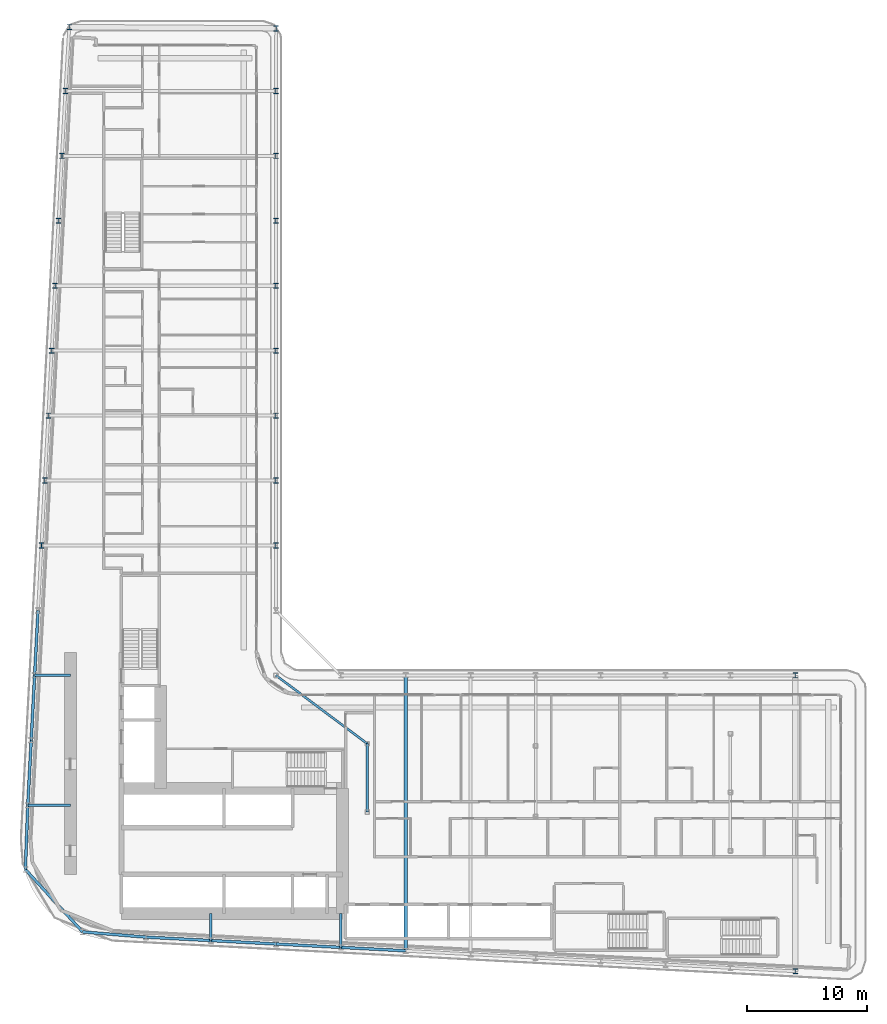
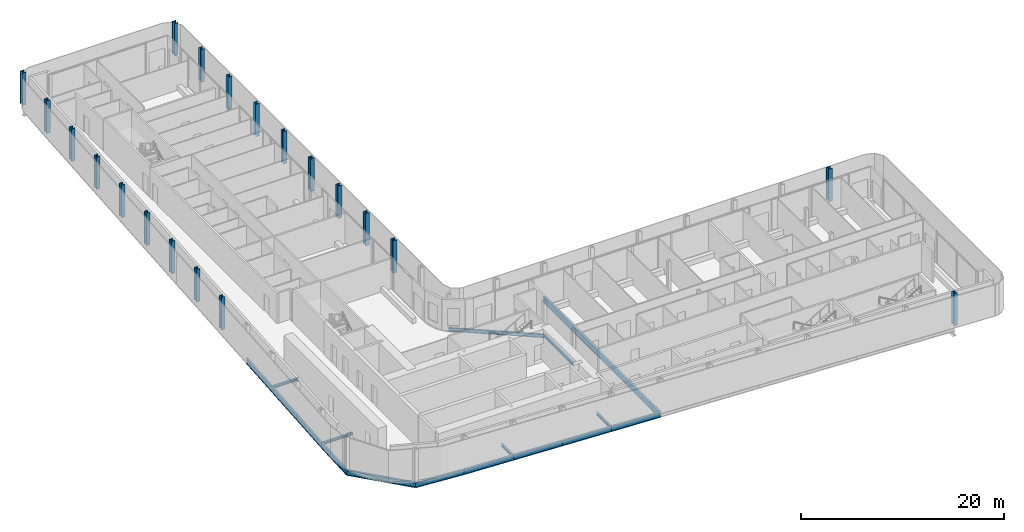
# One storey, part 3 of 27: 20 columns, 17 beams.
"""IFC4 building model written with IfcOpenShell, lengths in metres."""

from ifc_helpers import new_model, si_unit, direction, frame, origin, origin_2d, place, context, subcontext, project, spatial, i_section, extrude, material, material_profile, profile_set, type_object, element, save


model = new_model("IFC4")

# Units and contexts
model_context = context("Model", 3, precision=1e-05, world=origin(), true_north=direction((0.0, 1.0)))
body_context = subcontext(model_context, "Body", "Model", "MODEL_VIEW")
ifc_project = project(units=[si_unit("LENGTHUNIT", "METRE"), si_unit("AREAUNIT", "SQUARE_METRE"), si_unit("VOLUMEUNIT", "CUBIC_METRE"), si_unit("PLANEANGLEUNIT", "RADIAN"), si_unit("MASSUNIT", "GRAM", prefix="KILO")], contexts=[model_context])

# Site, building, storey
site_placement = place(None, origin())
site = spatial("IfcSite", under=ifc_project, at=site_placement, CompositionType="ELEMENT")
building_placement = place(site_placement, origin())
building = spatial("IfcBuilding", under=site, at=building_placement, Name="Kheshtan School and Residences Tower", CompositionType="ELEMENT")
storey_placement = place(building_placement, frame((0.0, 0.0, 50.0)))
storey = spatial("IfcBuildingStorey", under=building, at=storey_placement, Name="L11", CompositionType="ELEMENT", Elevation=50.0)

# Columns
ifc_material = material(Name="Steel ASTM A992 Grade 50", Category="steel")
ifc_material_profile_1 = material_profile(ifc_material, i_section(OverallWidth=0.424072265625, OverallDepth=0.47412109375, WebThickness=0.047607421875, FlangeThickness=0.0771484375, FilletRadius=0.01416015625, at=origin_2d()), Name="W360x634")
ifc_profile_set_1 = profile_set([ifc_material_profile_1], Name="Steel ASTM A992 Grade 50")
column_type = type_object("IfcColumnType", Name="Column C1 W360x634 ASTM A992 Grade 50", PredefinedType="COLUMN", material=ifc_profile_set_1)
for number, where, z_axis, x_axis, name in (
    (1, (90.800048828125, 20.989990234375, 0.0), (0.0, 0.0, 1.0), (1.0, 0.0, 0.0), "Column C006"),
    (2, (90.800048828125, 45.60009765625, 0.0), (0.0, 0.0, 1.0), (1.0, 0.0, 0.0), "Column C068"),
    (3, (28.10595703125, 56.39990234375, 0.0), (0.0, 0.0, 1.0), (1.0, 0.0, 0.0), "Column C080"),
    (4, (47.60009765625, 56.39990234375, 0.0), (0.0, 0.0, 1.0), (1.0, 0.0, 0.0), "Column C081"),
    (5, (28.389892578125, 61.800048828125, 0.0), (0.0, 0.0, 1.0), (1.0, 0.0, 0.0), "Column C082"),
    (6, (47.60009765625, 61.800048828125, 0.0), (0.0, 0.0, 1.0), (1.0, 0.0, 0.0), "Column C083"),
    (7, (28.674072265625, 67.199951171875, 0.0), (0.0, 0.0, 1.0), (1.0, 0.0, 0.0), "Column C084"),
    (8, (47.60009765625, 67.199951171875, 0.0), (0.0, 0.0, 1.0), (1.0, 0.0, 0.0), "Column C085"),
    (9, (28.9580078125, 72.60009765625, 0.0), (0.0, 0.0, 1.0), (1.0, 0.0, 0.0), "Column C086"),
    (10, (47.60009765625, 72.60009765625, 0.0), (0.0, 0.0, 1.0), (1.0, 0.0, 0.0), "Column C087"),
    (11, (29.242919921875, 78.0, 0.0), (0.0, 0.0, 1.0), (1.0, 0.0, 0.0), "Column C088"),
    (12, (47.60009765625, 78.0, 0.0), (0.0, 0.0, 1.0), (1.0, 0.0, 0.0), "Column C089"),
    (13, (29.527099609375, 83.39990234375, 0.0), (0.0, 0.0, 1.0), (1.0, 0.0, 0.0), "Column C090"),
    (14, (47.60009765625, 83.39990234375, 0.0), (0.0, 0.0, 1.0), (1.0, 0.0, 0.0), "Column C091"),
    (15, (29.81103515625, 88.800048828125, 0.0), (0.0, 0.0, 1.0), (1.0, 0.0, 0.0), "Column C098"),
    (16, (47.60009765625, 88.800048828125, 0.0), (0.0, 0.0, 1.0), (1.0, 0.0, 0.0), "Column C099"),
    (17, (30.094970703125, 94.199951171875, 0.0), (0.0, 0.0, 1.0), (1.0, 0.0, 0.0), "Column C106"),
    (18, (47.60009765625, 94.199951171875, 0.0), (0.0, 0.0, 1.0), (1.0, 0.0, 0.0), "Column C107"),
    (19, (47.6220703125, 99.40087890625, 0.0), (0.0, 0.0, 1.0), (1.0, 0.0, 0.0), "Column C111"),
    (20, (30.4208984375, 99.509033203125, 0.0), (0.0, 0.0, 1.0), (1.0, 0.0, 0.0), "Column C120"),
):
    element("IfcColumn", number, at=place(storey_placement, frame(where, z_axis=z_axis, x_axis=x_axis)), inside=storey, type_object=column_type, Name=name, PredefinedType="COLUMN", context=body_context, shape_type="SweptSolid", body=[
        extrude(i_section(OverallWidth=0.424072265625, OverallDepth=0.47412109375, WebThickness=0.047607421875, FlangeThickness=0.0771484375, FilletRadius=0.01416015625, at=origin_2d()), origin(), (0.0, 0.0, 1.0), 3.89990234375),
    ])

# Beams
ifc_material_profile_2 = material_profile(ifc_material, i_section(OverallWidth=0.202880859375, OverallDepth=0.302978515625, WebThickness=0.007568359375, FlangeThickness=0.01318359375, FilletRadius=0.009033203125, at=origin_2d()), Name="W310x60")
ifc_profile_set_2 = profile_set([ifc_material_profile_2], Name="Steel ASTM A992 Grade 50")
beam_type_1 = type_object("IfcBeamType", Name="Beam FB1 W310x60 ASTM A992 Grade 50", PredefinedType="BEAM", material=ifc_profile_set_2)
beam_1_placement = place(storey_placement, frame((53.0, 22.97998046875, -0.301513671875), z_axis=(0.0, 1.0, 0.0), x_axis=(-1.0, 0.0, 0.0)))
element("IfcBeam", 21, at=beam_1_placement, inside=storey, type_object=beam_type_1, Name="Floor beam C019", PredefinedType="BEAM", context=body_context, shape_type="SweptSolid", body=[
    extrude(i_section(OverallWidth=0.202880859375, OverallDepth=0.302978515625, WebThickness=0.007568359375, FlangeThickness=0.01318359375, FilletRadius=0.009033203125, at=origin_2d()), origin(), (0.0, 0.0, 1.0), 2.820068359375),
])
beam_2_placement = place(storey_placement, frame((42.199951171875, 23.548095703125, -0.301513671875), z_axis=(0.0, 1.0, 0.0), x_axis=(-1.0, 0.0, 0.0)))
element("IfcBeam", 22, at=beam_2_placement, inside=storey, type_object=beam_type_1, Name="Floor beam C021", PredefinedType="BEAM", context=body_context, shape_type="SweptSolid", body=[
    extrude(i_section(OverallWidth=0.202880859375, OverallDepth=0.302978515625, WebThickness=0.007568359375, FlangeThickness=0.01318359375, FilletRadius=0.009033203125, at=origin_2d()), origin(), (0.0, 0.0, 1.0), 2.251953125),
])
beam_3_placement = place(storey_placement, frame((26.968994140625, 34.800048828125, -0.301513671875), z_axis=(1.0, 0.0, 0.0), x_axis=(0.0, 1.0, 0.0)))
element("IfcBeam", 23, at=beam_3_placement, inside=storey, type_object=beam_type_1, Name="Floor beam C052", PredefinedType="BEAM", context=body_context, shape_type="SweptSolid", body=[
    extrude(i_section(OverallWidth=0.202880859375, OverallDepth=0.302978515625, WebThickness=0.007568359375, FlangeThickness=0.01318359375, FilletRadius=0.009033203125, at=origin_2d()), origin(), (0.0, 0.0, 1.0), 3.531005859375),
])
beam_4_placement = place(storey_placement, frame((27.537109375, 45.60009765625, -0.301513671875), z_axis=(1.0, 0.0, 0.0), x_axis=(0.0, 1.0, 0.0)))
element("IfcBeam", 24, at=beam_4_placement, inside=storey, type_object=beam_type_1, Name="Floor beam C059", PredefinedType="BEAM", context=body_context, shape_type="SweptSolid", body=[
    extrude(i_section(OverallWidth=0.202880859375, OverallDepth=0.302978515625, WebThickness=0.007568359375, FlangeThickness=0.01318359375, FilletRadius=0.009033203125, at=origin_2d()), origin(), (0.0, 0.0, 1.0), 2.962890625),
])
beam_5_placement = place(storey_placement, frame((55.199951171875, 34.23193359375, -0.301513671875), z_axis=(0.0, 1.0, 0.0), x_axis=(-1.0, 0.0, 0.0)))
element("IfcBeam", 25, at=beam_5_placement, inside=storey, type_object=beam_type_1, Name="Floor beam IC", PredefinedType="BEAM", context=body_context, shape_type="SweptSolid", body=[
    extrude(i_section(OverallWidth=0.202880859375, OverallDepth=0.302978515625, WebThickness=0.007568359375, FlangeThickness=0.01318359375, FilletRadius=0.009033203125, at=origin_2d()), origin(), (0.0, 0.0, 1.0), 5.68408203125),
])
ifc_material_profile_3 = material_profile(ifc_material, i_section(OverallWidth=0.180908203125, OverallDepth=0.4169921875, WebThickness=0.010986328125, FlangeThickness=0.018310546875, FilletRadius=0.012451171875, at=origin_2d()), Name="W410x85")
ifc_profile_set_3 = profile_set([ifc_material_profile_3], Name="Steel ASTM A992 Grade 50")
beam_type_2 = type_object("IfcBeamType", Name="Beam FB3 W410x85 ASTM A992 Grade 50", PredefinedType="BEAM", material=ifc_profile_set_3)
beam_6_placement = place(storey_placement, frame((47.60009765625, 45.60009765625, -0.3583984375), z_axis=(0.800798828004, -0.598933416222, 0.0), x_axis=(0.598933416222, 0.800798828004, 0.0)))
element("IfcBeam", 26, at=beam_6_placement, inside=storey, type_object=beam_type_2, Name="Floor beam IC", PredefinedType="BEAM", context=body_context, shape_type="SweptSolid", body=[
    extrude(i_section(OverallWidth=0.180908203125, OverallDepth=0.4169921875, WebThickness=0.010986328125, FlangeThickness=0.018310546875, FilletRadius=0.012451171875, at=origin_2d()), origin(), (0.0, 0.0, 1.0), 9.490234375),
])
ifc_material_profile_4 = material_profile(ifc_material, i_section(OverallWidth=0.2529296875, OverallDepth=0.677978515625, WebThickness=0.01171875, FlangeThickness=0.016357421875, FilletRadius=0.0146484375, at=origin_2d()), Name="W690x125")
ifc_profile_set_4 = profile_set([ifc_material_profile_4], Name="Steel ASTM A992 Grade 50")
beam_type_3 = type_object("IfcBeamType", Name="Beam FB6 W690x125 ASTM A992 Grade 50", PredefinedType="BEAM", material=ifc_profile_set_4)
beam_7_placement = place(storey_placement, frame((58.39990234375, 45.60009765625, -0.489013671875), z_axis=(0.0, -1.0, 0.0), x_axis=(1.0, 0.0, 0.0)))
element("IfcBeam", 27, at=beam_7_placement, inside=storey, type_object=beam_type_3, Name="Floor beam C062", PredefinedType="BEAM", context=body_context, shape_type="SweptSolid", body=[
    extrude(i_section(OverallWidth=0.2529296875, OverallDepth=0.677978515625, WebThickness=0.01171875, FlangeThickness=0.016357421875, FilletRadius=0.0146484375, at=origin_2d()), origin(), (0.0, 0.0, 1.0), 22.905029296875),
])
ifc_material_profile_5 = material_profile(ifc_material, i_section(OverallWidth=0.22998046875, OverallDepth=0.616943359375, WebThickness=0.01318359375, FlangeThickness=0.022216796875, FilletRadius=0.0185546875, at=origin_2d()), Name="W610x140")
ifc_profile_set_5 = profile_set([ifc_material_profile_5], Name="Steel ASTM A992 Grade 50")
beam_type_4 = type_object("IfcBeamType", Name="Beam SP1 W610x140 ASTM A992 Grade 50", PredefinedType="BEAM", material=ifc_profile_set_5)
for number, where, z_axis, x_axis, name in (
    (28, (58.39990234375, 22.695068359375, -0.45849609375), (-0.998610961136, 0.052689166816, 0.0), (-0.052689166816, -0.998610961136, 0.0), "Spandrel beam C018-C019"),
    (29, (53.0, 22.97998046875, -0.45849609375), (-0.998620447272, 0.05250906864, 0.0), (-0.05250906864, -0.998620447272, 0.0), "Spandrel beam C019-C020"),
):
    element("IfcBeam", number, at=place(storey_placement, frame(where, z_axis=z_axis, x_axis=x_axis)), inside=storey, type_object=beam_type_4, Name=name, PredefinedType="BEAM", context=body_context, shape_type="SweptSolid", body=[
        extrude(i_section(OverallWidth=0.22998046875, OverallDepth=0.616943359375, WebThickness=0.01318359375, FlangeThickness=0.022216796875, FilletRadius=0.0185546875, at=origin_2d()), origin(), (0.0, 0.0, 1.0), 5.407470703125),
    ])
beam_8_placement = place(storey_placement, frame((47.60009765625, 23.263916015625, -0.45849609375), z_axis=(-0.998618203458, 0.052551724256, 0.0), x_axis=(-0.052551724256, -0.998618203458, 0.0)))
element("IfcBeam", 30, at=beam_8_placement, inside=storey, type_object=beam_type_4, Name="Spandrel beam C020-C021", PredefinedType="BEAM", context=body_context, shape_type="SweptSolid", body=[
    extrude(i_section(OverallWidth=0.22998046875, OverallDepth=0.616943359375, WebThickness=0.01318359375, FlangeThickness=0.022216796875, FilletRadius=0.0185546875, at=origin_2d()), origin(), (0.0, 0.0, 1.0), 5.40771484375),
])
beam_9_placement = place(storey_placement, frame((42.199951171875, 23.548095703125, -0.45849609375), z_axis=(-0.998620447272, 0.05250906864, 0.0), x_axis=(-0.05250906864, -0.998620447272, 0.0)))
element("IfcBeam", 31, at=beam_9_placement, inside=storey, type_object=beam_type_4, Name="Spandrel beam C021-C022", PredefinedType="BEAM", context=body_context, shape_type="SweptSolid", body=[
    extrude(i_section(OverallWidth=0.22998046875, OverallDepth=0.616943359375, WebThickness=0.01318359375, FlangeThickness=0.022216796875, FilletRadius=0.0185546875, at=origin_2d()), origin(), (0.0, 0.0, 1.0), 5.407470703125),
])
beam_10_placement = place(storey_placement, frame((36.800048828125, 23.83203125, -0.45849609375), z_axis=(-0.996622413395, 0.082120430578, 0.0), x_axis=(-0.082120430578, -0.996622413395, 0.0)))
element("IfcBeam", 32, at=beam_10_placement, inside=storey, type_object=beam_type_4, Name="Spandrel beam C022-C026", PredefinedType="BEAM", context=body_context, shape_type="SweptSolid", body=[
    extrude(i_section(OverallWidth=0.22998046875, OverallDepth=0.616943359375, WebThickness=0.01318359375, FlangeThickness=0.022216796875, FilletRadius=0.0185546875, at=origin_2d()), origin(), (0.0, 0.0, 1.0), 5.285888671875),
])
beam_11_placement = place(storey_placement, frame((31.531982421875, 24.26611328125, -0.45849609375), z_axis=(-0.676166826568, 0.736748547775, 0.0), x_axis=(-0.736748547775, -0.676166826568, 0.0)))
element("IfcBeam", 33, at=beam_11_placement, inside=storey, type_object=beam_type_4, Name="Spandrel beam C026-C039", PredefinedType="BEAM", context=body_context, shape_type="SweptSolid", body=[
    extrude(i_section(OverallWidth=0.22998046875, OverallDepth=0.616943359375, WebThickness=0.01318359375, FlangeThickness=0.022216796875, FilletRadius=0.0185546875, at=origin_2d()), origin(), (0.0, 0.0, 1.0), 7.04833984375),
])
beam_12_placement = place(storey_placement, frame((26.76611328125, 29.458984375, -0.45849609375), z_axis=(0.037957724389, 0.999279345908, 0.0), x_axis=(-0.999279345908, 0.037957724389, 0.0)))
element("IfcBeam", 34, at=beam_12_placement, inside=storey, type_object=beam_type_4, Name="Spandrel beam C039-C052", PredefinedType="BEAM", context=body_context, shape_type="SweptSolid", body=[
    extrude(i_section(OverallWidth=0.22998046875, OverallDepth=0.616943359375, WebThickness=0.01318359375, FlangeThickness=0.022216796875, FilletRadius=0.0185546875, at=origin_2d()), origin(), (0.0, 0.0, 1.0), 5.344970703125),
])
beam_13_placement = place(storey_placement, frame((26.968994140625, 34.800048828125, -0.45849609375), z_axis=(0.05250906864, 0.998620447272, 0.0), x_axis=(-0.998620447272, 0.05250906864, 0.0)))
element("IfcBeam", 35, at=beam_13_placement, inside=storey, type_object=beam_type_4, Name="Spandrel beam C052-C056", PredefinedType="BEAM", context=body_context, shape_type="SweptSolid", body=[
    extrude(i_section(OverallWidth=0.22998046875, OverallDepth=0.616943359375, WebThickness=0.01318359375, FlangeThickness=0.022216796875, FilletRadius=0.0185546875, at=origin_2d()), origin(), (0.0, 0.0, 1.0), 5.407470703125),
])
beam_14_placement = place(storey_placement, frame((27.2529296875, 40.199951171875, -0.45849609375), z_axis=(0.052551724256, 0.998618203458, 0.0), x_axis=(-0.998618203458, 0.052551724256, 0.0)))
element("IfcBeam", 36, at=beam_14_placement, inside=storey, type_object=beam_type_4, Name="Spandrel beam C056-C059", PredefinedType="BEAM", context=body_context, shape_type="SweptSolid", body=[
    extrude(i_section(OverallWidth=0.22998046875, OverallDepth=0.616943359375, WebThickness=0.01318359375, FlangeThickness=0.022216796875, FilletRadius=0.0185546875, at=origin_2d()), origin(), (0.0, 0.0, 1.0), 5.40771484375),
])
beam_15_placement = place(storey_placement, frame((27.537109375, 45.60009765625, -0.45849609375), z_axis=(0.052689166816, 0.998610961136, 0.0), x_axis=(-0.998610961136, 0.052689166816, 0.0)))
element("IfcBeam", 37, at=beam_15_placement, inside=storey, type_object=beam_type_4, Name="Spandrel beam C059-C078", PredefinedType="BEAM", context=body_context, shape_type="SweptSolid", body=[
    extrude(i_section(OverallWidth=0.22998046875, OverallDepth=0.616943359375, WebThickness=0.01318359375, FlangeThickness=0.022216796875, FilletRadius=0.0185546875, at=origin_2d()), origin(), (0.0, 0.0, 1.0), 5.407470703125),
])

save(model, "model.ifc")
